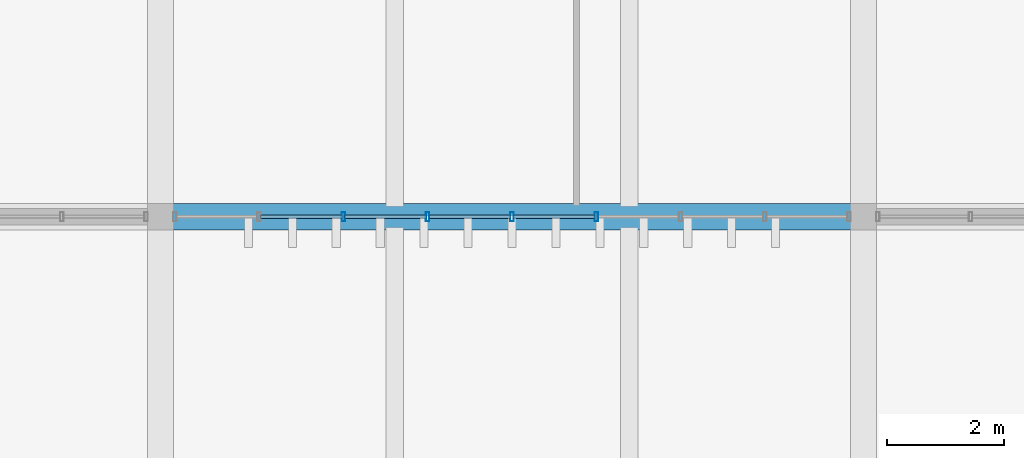
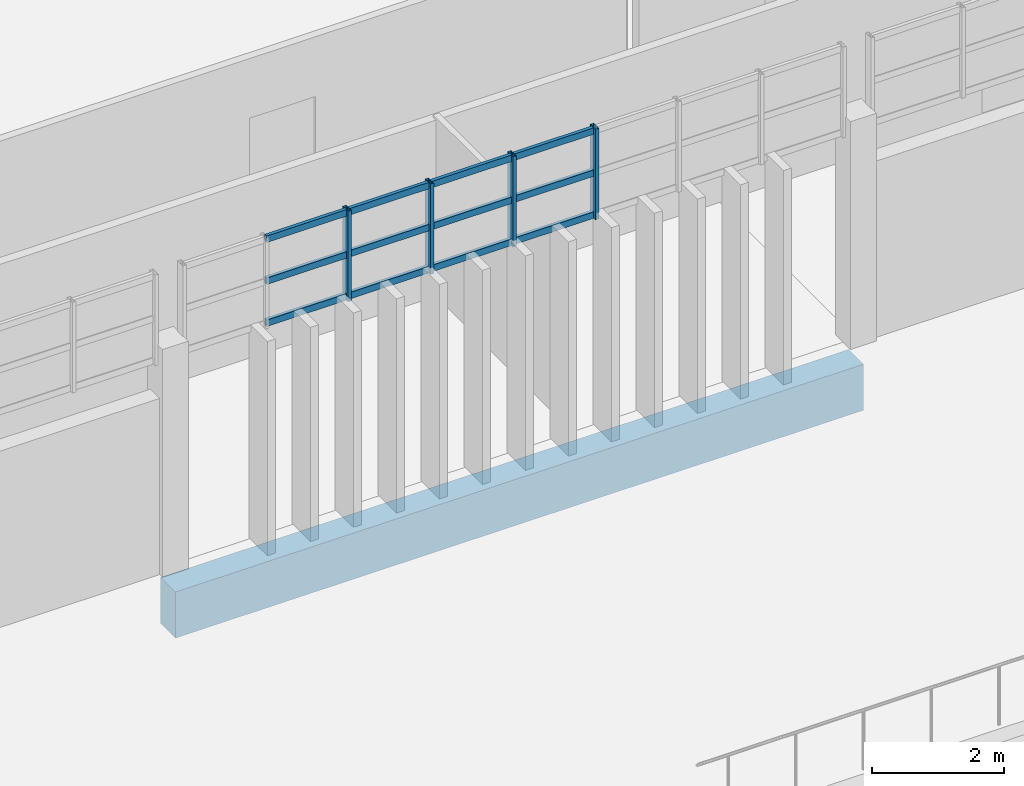
# One storey, part 8 of 36: 16 members, 1 beam, 1 element without a shape of its own.
"""IFC4 building model written with IfcOpenShell, lengths in metres."""

from ifc_helpers import new_model, si_unit, direction, frame, origin, origin_2d, place, context, subcontext, project, spatial, rectangle, hollow_rectangle, extrude, material, layer, layer_set, material_profile, profile_set, type_object, element, aggregate, save


model = new_model("IFC4")

# Units and contexts
model_context = context("Model", 3, precision=1e-05, world=origin(), true_north=direction((0.0, 1.0)))
body_context = subcontext(model_context, "Body", "Model", "MODEL_VIEW")
ifc_project = project(units=[si_unit("LENGTHUNIT", "METRE"), si_unit("AREAUNIT", "SQUARE_METRE"), si_unit("VOLUMEUNIT", "CUBIC_METRE"), si_unit("PLANEANGLEUNIT", "RADIAN"), si_unit("MASSUNIT", "GRAM", prefix="KILO")], contexts=[model_context])

# Site, building, storey
site_placement = place(None, origin())
site = spatial("IfcSite", under=ifc_project, at=site_placement, CompositionType="ELEMENT")
building_placement = place(site_placement, origin())
building = spatial("IfcBuilding", under=site, at=building_placement, Name="Mersad Railyard Sports Hall", CompositionType="ELEMENT")
storey_placement = place(building_placement, frame((0.0, 0.0, 21.60009765625)))
storey = spatial("IfcBuildingStorey", under=building, at=storey_placement, Name="L05", CompositionType="ELEMENT", Elevation=21.60009765625)

# Curtain wall, members
ifc_material_1 = material(Name="Aluminium 6063-T6", Category="aluminium")
ifc_layer = layer(ifc_material_1, 0.159912109375)
ifc_layer_set = layer_set([ifc_layer], Name="Aluminium 6063-T6")
curtain_wall_type = type_object("IfcCurtainWallType", Name="ARC-CW-CW48", PredefinedType="USERDEFINED", material=ifc_layer_set)
curtain_wall_placement = place(storey_placement, origin())
curtain_wall = element("IfcCurtainWall", 1, at=curtain_wall_placement, inside=storey, type_object=curtain_wall_type, Name="Curtain wall CW48-0130", ObjectType="CURTAIN WALL", PredefinedType="USERDEFINED")
ifc_material_profile_1 = material_profile(ifc_material_1, hollow_rectangle(XDim=0.06005859375, YDim=0.159912109375, WallThickness=0.00390625, at=origin_2d()), Name="AL MULLION 60x160x4")
ifc_profile_set_1 = profile_set([ifc_material_profile_1], Name="Aluminium 6063-T6")
member_type_1 = type_object("IfcMemberType", Name="ARC-CW-MUL01", PredefinedType="MULLION", material=ifc_profile_set_1)
member_1_placement = place(storey_placement, frame((86.438720703125, 95.0, 3.829833984375), z_axis=(0.0, 0.0, 1.0), x_axis=(1.0, 0.0, 0.0)))
member_1 = element("IfcMember", 2, at=member_1_placement, type_object=member_type_1, Name="CW48 Mullion 4", PredefinedType="MULLION", context=body_context, shape_type="SweptSolid", body=[
    extrude(hollow_rectangle(XDim=0.06005859375, YDim=0.159912109375, WallThickness=0.00390625, at=origin_2d()), origin(), (0.0, 0.0, 1.0), 1.670166015625),
])
member_2_placement = place(storey_placement, frame((85.0, 95.0, 3.829833984375), z_axis=(0.0, 0.0, 1.0), x_axis=(1.0, 0.0, 0.0)))
member_2 = element("IfcMember", 3, at=member_2_placement, type_object=member_type_1, Name="CW48 Mullion 5", PredefinedType="MULLION", context=body_context, shape_type="SweptSolid", body=[
    extrude(hollow_rectangle(XDim=0.06005859375, YDim=0.159912109375, WallThickness=0.00390625, at=origin_2d()), origin(), (0.0, 0.0, 1.0), 1.670166015625),
])
member_3_placement = place(storey_placement, frame((83.561279296875, 95.0, 3.829833984375), z_axis=(0.0, 0.0, 1.0), x_axis=(1.0, 0.0, 0.0)))
member_3 = element("IfcMember", 4, at=member_3_placement, type_object=member_type_1, Name="CW48 Mullion 6", PredefinedType="MULLION", context=body_context, shape_type="SweptSolid", body=[
    extrude(hollow_rectangle(XDim=0.06005859375, YDim=0.159912109375, WallThickness=0.00390625, at=origin_2d()), origin(), (0.0, 0.0, 1.0), 1.670166015625),
])
member_4_placement = place(storey_placement, frame((82.12255859375, 95.0, 3.829833984375), z_axis=(0.0, 0.0, 1.0), x_axis=(1.0, 0.0, 0.0)))
member_4 = element("IfcMember", 5, at=member_4_placement, type_object=member_type_1, Name="CW48 Mullion 7", PredefinedType="MULLION", context=body_context, shape_type="SweptSolid", body=[
    extrude(hollow_rectangle(XDim=0.06005859375, YDim=0.159912109375, WallThickness=0.00390625, at=origin_2d()), origin(), (0.0, 0.0, 1.0), 1.670166015625),
])
ifc_material_profile_2 = material_profile(ifc_material_1, hollow_rectangle(XDim=0.06005859375, YDim=0.1201171875, WallThickness=0.00390625, at=origin_2d()), Name="AL TRANSOM 60x120x4")
ifc_profile_set_2 = profile_set([ifc_material_profile_2], Name="Aluminium 6063-T6")
member_type_2 = type_object("IfcMemberType", Name="ARC-CW-TRN01", PredefinedType="USERDEFINED", material=ifc_profile_set_2)
member_5_placement = place(storey_placement, frame((86.418701171875, 95.0, 3.889892578125), z_axis=(-1.0, 0.0, 0.0), x_axis=(0.0, -1.0, 0.0)))
member_5 = element("IfcMember", 6, at=member_5_placement, type_object=member_type_2, Name="CW48 Transom 1-4", ObjectType="TRANSOM", PredefinedType="USERDEFINED", context=body_context, shape_type="SweptSolid", body=[
    extrude(hollow_rectangle(XDim=0.06005859375, YDim=0.1201171875, WallThickness=0.00390625, at=origin_2d()), origin(), (0.0, 0.0, 1.0), 1.398681640625),
])
member_6_placement = place(storey_placement, frame((84.97998046875, 95.0, 3.889892578125), z_axis=(-1.0, 0.0, 0.0), x_axis=(0.0, -1.0, 0.0)))
member_6 = element("IfcMember", 7, at=member_6_placement, type_object=member_type_2, Name="CW48 Transom 1-5", ObjectType="TRANSOM", PredefinedType="USERDEFINED", context=body_context, shape_type="SweptSolid", body=[
    extrude(hollow_rectangle(XDim=0.06005859375, YDim=0.1201171875, WallThickness=0.00390625, at=origin_2d()), origin(), (0.0, 0.0, 1.0), 1.398681640625),
])
member_7_placement = place(storey_placement, frame((83.541259765625, 95.0, 3.889892578125), z_axis=(-1.0, 0.0, 0.0), x_axis=(0.0, -1.0, 0.0)))
member_7 = element("IfcMember", 8, at=member_7_placement, type_object=member_type_2, Name="CW48 Transom 1-6", ObjectType="TRANSOM", PredefinedType="USERDEFINED", context=body_context, shape_type="SweptSolid", body=[
    extrude(hollow_rectangle(XDim=0.06005859375, YDim=0.1201171875, WallThickness=0.00390625, at=origin_2d()), origin(), (0.0, 0.0, 1.0), 1.398681640625),
])
member_8_placement = place(storey_placement, frame((82.1025390625, 95.0, 3.889892578125), z_axis=(-1.0, 0.0, 0.0), x_axis=(0.0, -1.0, 0.0)))
member_8 = element("IfcMember", 9, at=member_8_placement, type_object=member_type_2, Name="CW48 Transom 1-7", ObjectType="TRANSOM", PredefinedType="USERDEFINED", context=body_context, shape_type="SweptSolid", body=[
    extrude(hollow_rectangle(XDim=0.06005859375, YDim=0.1201171875, WallThickness=0.00390625, at=origin_2d()), origin(), (0.0, 0.0, 1.0), 1.398681640625),
])
member_9_placement = place(storey_placement, frame((86.418701171875, 95.0, 4.664794921875), z_axis=(-1.0, 0.0, 0.0), x_axis=(0.0, -1.0, 0.0)))
member_9 = element("IfcMember", 10, at=member_9_placement, type_object=member_type_2, Name="CW48 Transom 2-4", ObjectType="TRANSOM", PredefinedType="USERDEFINED", context=body_context, shape_type="SweptSolid", body=[
    extrude(hollow_rectangle(XDim=0.06005859375, YDim=0.1201171875, WallThickness=0.00390625, at=origin_2d()), origin(), (0.0, 0.0, 1.0), 1.398681640625),
])
member_10_placement = place(storey_placement, frame((84.97998046875, 95.0, 4.664794921875), z_axis=(-1.0, 0.0, 0.0), x_axis=(0.0, -1.0, 0.0)))
member_10 = element("IfcMember", 11, at=member_10_placement, type_object=member_type_2, Name="CW48 Transom 2-5", ObjectType="TRANSOM", PredefinedType="USERDEFINED", context=body_context, shape_type="SweptSolid", body=[
    extrude(hollow_rectangle(XDim=0.06005859375, YDim=0.1201171875, WallThickness=0.00390625, at=origin_2d()), origin(), (0.0, 0.0, 1.0), 1.398681640625),
])
member_11_placement = place(storey_placement, frame((83.541259765625, 95.0, 4.664794921875), z_axis=(-1.0, 0.0, 0.0), x_axis=(0.0, -1.0, 0.0)))
member_11 = element("IfcMember", 12, at=member_11_placement, type_object=member_type_2, Name="CW48 Transom 2-6", ObjectType="TRANSOM", PredefinedType="USERDEFINED", context=body_context, shape_type="SweptSolid", body=[
    extrude(hollow_rectangle(XDim=0.06005859375, YDim=0.1201171875, WallThickness=0.00390625, at=origin_2d()), origin(), (0.0, 0.0, 1.0), 1.398681640625),
])
member_12_placement = place(storey_placement, frame((82.1025390625, 95.0, 4.664794921875), z_axis=(-1.0, 0.0, 0.0), x_axis=(0.0, -1.0, 0.0)))
member_12 = element("IfcMember", 13, at=member_12_placement, type_object=member_type_2, Name="CW48 Transom 2-7", ObjectType="TRANSOM", PredefinedType="USERDEFINED", context=body_context, shape_type="SweptSolid", body=[
    extrude(hollow_rectangle(XDim=0.06005859375, YDim=0.1201171875, WallThickness=0.00390625, at=origin_2d()), origin(), (0.0, 0.0, 1.0), 1.398681640625),
])
member_13_placement = place(storey_placement, frame((86.418701171875, 95.0, 5.43994140625), z_axis=(-1.0, 0.0, 0.0), x_axis=(0.0, -1.0, 0.0)))
member_13 = element("IfcMember", 14, at=member_13_placement, type_object=member_type_2, Name="CW48 Transom 3-4", ObjectType="TRANSOM", PredefinedType="USERDEFINED", context=body_context, shape_type="SweptSolid", body=[
    extrude(hollow_rectangle(XDim=0.06005859375, YDim=0.1201171875, WallThickness=0.00390625, at=origin_2d()), origin(), (0.0, 0.0, 1.0), 1.398681640625),
])
member_14_placement = place(storey_placement, frame((84.97998046875, 95.0, 5.43994140625), z_axis=(-1.0, 0.0, 0.0), x_axis=(0.0, -1.0, 0.0)))
member_14 = element("IfcMember", 15, at=member_14_placement, type_object=member_type_2, Name="CW48 Transom 3-5", ObjectType="TRANSOM", PredefinedType="USERDEFINED", context=body_context, shape_type="SweptSolid", body=[
    extrude(hollow_rectangle(XDim=0.06005859375, YDim=0.1201171875, WallThickness=0.00390625, at=origin_2d()), origin(), (0.0, 0.0, 1.0), 1.398681640625),
])
member_15_placement = place(storey_placement, frame((83.541259765625, 95.0, 5.43994140625), z_axis=(-1.0, 0.0, 0.0), x_axis=(0.0, -1.0, 0.0)))
member_15 = element("IfcMember", 16, at=member_15_placement, type_object=member_type_2, Name="CW48 Transom 3-6", ObjectType="TRANSOM", PredefinedType="USERDEFINED", context=body_context, shape_type="SweptSolid", body=[
    extrude(hollow_rectangle(XDim=0.06005859375, YDim=0.1201171875, WallThickness=0.00390625, at=origin_2d()), origin(), (0.0, 0.0, 1.0), 1.398681640625),
])
member_16_placement = place(storey_placement, frame((82.1025390625, 95.0, 5.43994140625), z_axis=(-1.0, 0.0, 0.0), x_axis=(0.0, -1.0, 0.0)))
member_16 = element("IfcMember", 17, at=member_16_placement, type_object=member_type_2, Name="CW48 Transom 3-7", ObjectType="TRANSOM", PredefinedType="USERDEFINED", context=body_context, shape_type="SweptSolid", body=[
    extrude(hollow_rectangle(XDim=0.06005859375, YDim=0.1201171875, WallThickness=0.00390625, at=origin_2d()), origin(), (0.0, 0.0, 1.0), 1.398681640625),
])
aggregate(curtain_wall, [member_1, member_2, member_3, member_4, member_5, member_6, member_7, member_8, member_9, member_10, member_11, member_12, member_13, member_14, member_15, member_16])

# Beam
ifc_material_2 = material(Name="Concrete C40/50", Category="concrete")
ifc_material_profile_3 = material_profile(ifc_material_2, rectangle(XDim=0.449951171875, YDim=0.85009765625, at=origin_2d()), Name="RC 450x850")
ifc_profile_set_3 = profile_set([ifc_material_profile_3], Name="Concrete C40/50")
beam_type = type_object("IfcBeamType", Name="STR-BM-B02", PredefinedType="BEAM", material=ifc_profile_set_3)
beam_placement = place(storey_placement, frame((79.0, 95.0, -0.775146484375), z_axis=(1.0, 0.0, 0.0), x_axis=(0.0, 1.0, 0.0)))
element("IfcBeam", 18, at=beam_placement, inside=storey, type_object=beam_type, Name="Beam B02-1411", PredefinedType="BEAM", context=body_context, shape_type="SweptSolid", body=[
    extrude(rectangle(XDim=0.449951171875, YDim=0.85009765625, at=origin_2d()), origin(), (0.0, 0.0, 1.0), 12.0),
])

save(model, "model.ifc")
